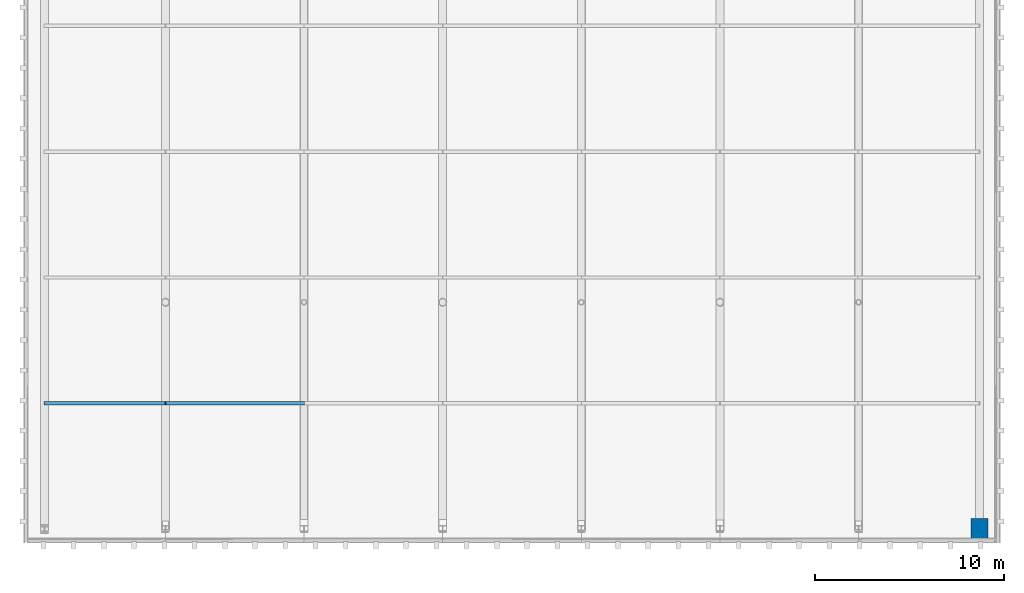
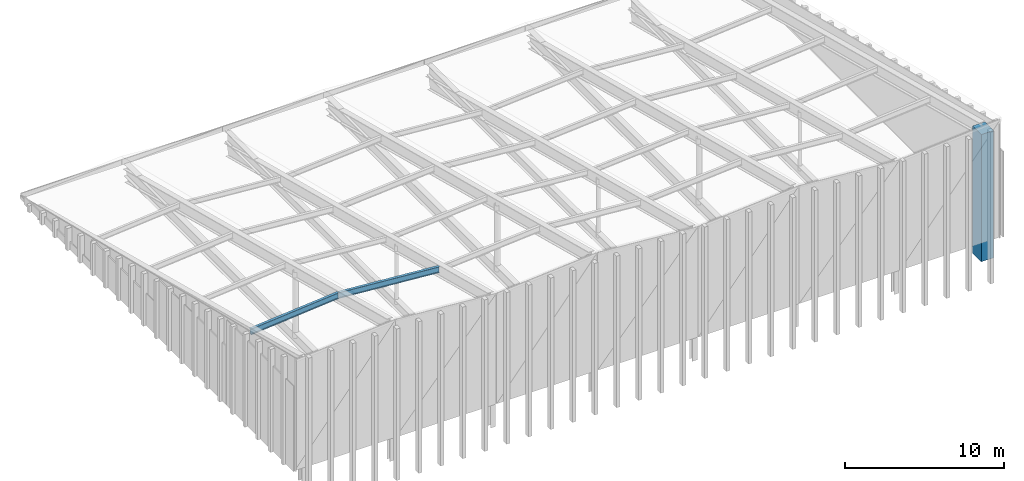
# One storey, part 2 of 8: 2 members, 1 column.
"""IFC4 building model written with IfcOpenShell, lengths in metres."""

from ifc_helpers import new_model, si_unit, direction, frame, origin, origin_2d, place, context, subcontext, project, spatial, rectangle, i_section, extrude, material, material_profile, profile_set, type_object, element, save


model = new_model("IFC4")

# Units and contexts
model_context = context("Model", 3, precision=1e-05, world=origin(), true_north=direction((0.0, 1.0)))
body_context = subcontext(model_context, "Body", "Model", "MODEL_VIEW")
ifc_project = project(units=[si_unit("LENGTHUNIT", "METRE"), si_unit("AREAUNIT", "SQUARE_METRE"), si_unit("VOLUMEUNIT", "CUBIC_METRE"), si_unit("PLANEANGLEUNIT", "RADIAN"), si_unit("MASSUNIT", "GRAM", prefix="KILO")], contexts=[model_context])

# Site, building, storey
site_placement = place(None, origin())
site = spatial("IfcSite", under=ifc_project, at=site_placement, CompositionType="ELEMENT")
building_placement = place(site_placement, origin())
building = spatial("IfcBuilding", under=site, at=building_placement, Name="Trimount Lyric Opera House", CompositionType="ELEMENT")
storey_placement = place(building_placement, frame((0.0, 0.0, 34.199951171875)))
storey = spatial("IfcBuildingStorey", under=building, at=storey_placement, Name="RF", CompositionType="ELEMENT", Elevation=34.199951171875)

# Column
ifc_material_1 = material(Name="Concrete C50/60", Category="concrete")
ifc_material_profile_1 = material_profile(ifc_material_1, rectangle(XDim=0.89990234375, YDim=1.10009765625, at=origin_2d()), Name="RC1100X900")
ifc_profile_set_1 = profile_set([ifc_material_profile_1], Name="Concrete C50/60")
column_type = type_object("IfcColumnType", Name="C-11", PredefinedType="COLUMN", material=ifc_profile_set_1)
column_placement = place(storey_placement, frame((113.739990234375, 84.0, -1.5), z_axis=(0.0, 0.0, 1.0), x_axis=(1.0, 0.0, 0.0)))
element("IfcColumn", 1, at=column_placement, inside=storey, type_object=column_type, Name="RF column 13/K", PredefinedType="COLUMN", context=body_context, shape_type="SweptSolid", body=[
    extrude(rectangle(XDim=0.89990234375, YDim=1.10009765625, at=origin_2d()), origin(), (0.0, 0.0, 1.0), 9.7900390625),
])

# Members
ifc_material_2 = material(Name="Steel ASTM A992 Grade 50", Category="steel")
ifc_material_profile_2 = material_profile(ifc_material_2, i_section(OverallWidth=0.19091796875, OverallDepth=0.45703125, WebThickness=0.009033203125, FlangeThickness=0.014404296875, FilletRadius=0.010986328125, at=origin_2d()), Name="W18X50")
ifc_profile_set_2 = profile_set([ifc_material_profile_2], Name="Steel ASTM A992 Grade 50")
member_type = type_object("IfcMemberType", Name="PR-02", PredefinedType="CHORD", material=ifc_profile_set_2)
member_1_placement = place(storey_placement, frame((64.260009765625, 90.656005859375, 5.9404296875), z_axis=(0.996053023158, 0.0, 0.088760211009), x_axis=(0.0, 1.0, 0.0)))
element("IfcMember", 2, at=member_1_placement, inside=storey, type_object=member_type, Name="Fly-tower roof purlin 1.1", PredefinedType="CHORD", context=body_context, shape_type="SweptSolid", body=[
    extrude(i_section(OverallWidth=0.19091796875, OverallDepth=0.45703125, WebThickness=0.009033203125, FlangeThickness=0.014404296875, FilletRadius=0.010986328125, at=origin_2d()), origin(), (0.0, 0.0, 1.0), 6.422607421875),
])
member_2_placement = place(storey_placement, frame((70.6572265625, 90.656005859375, 6.510498046875), z_axis=(0.996995257509, 0.0, -0.077462613592), x_axis=(0.0, 1.0, 0.0)))
element("IfcMember", 3, at=member_2_placement, inside=storey, type_object=member_type, Name="Fly-tower roof purlin 2.1", PredefinedType="CHORD", context=body_context, shape_type="SweptSolid", body=[
    extrude(i_section(OverallWidth=0.19091796875, OverallDepth=0.45703125, WebThickness=0.009033203125, FlangeThickness=0.014404296875, FilletRadius=0.010986328125, at=origin_2d()), origin(), (0.0, 0.0, 1.0), 7.359375),
])

save(model, "model.ifc")
